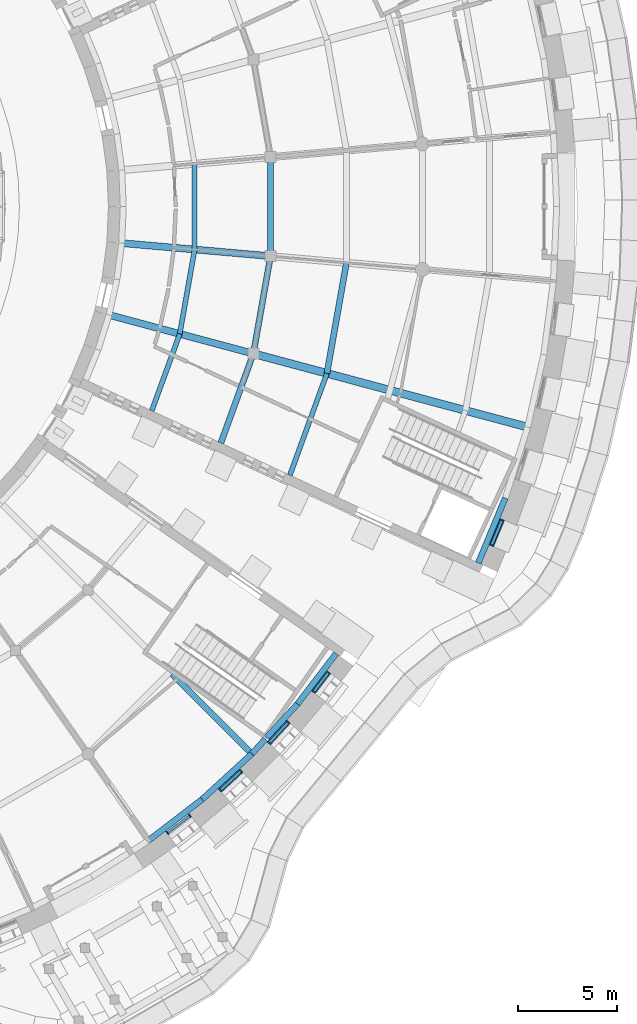
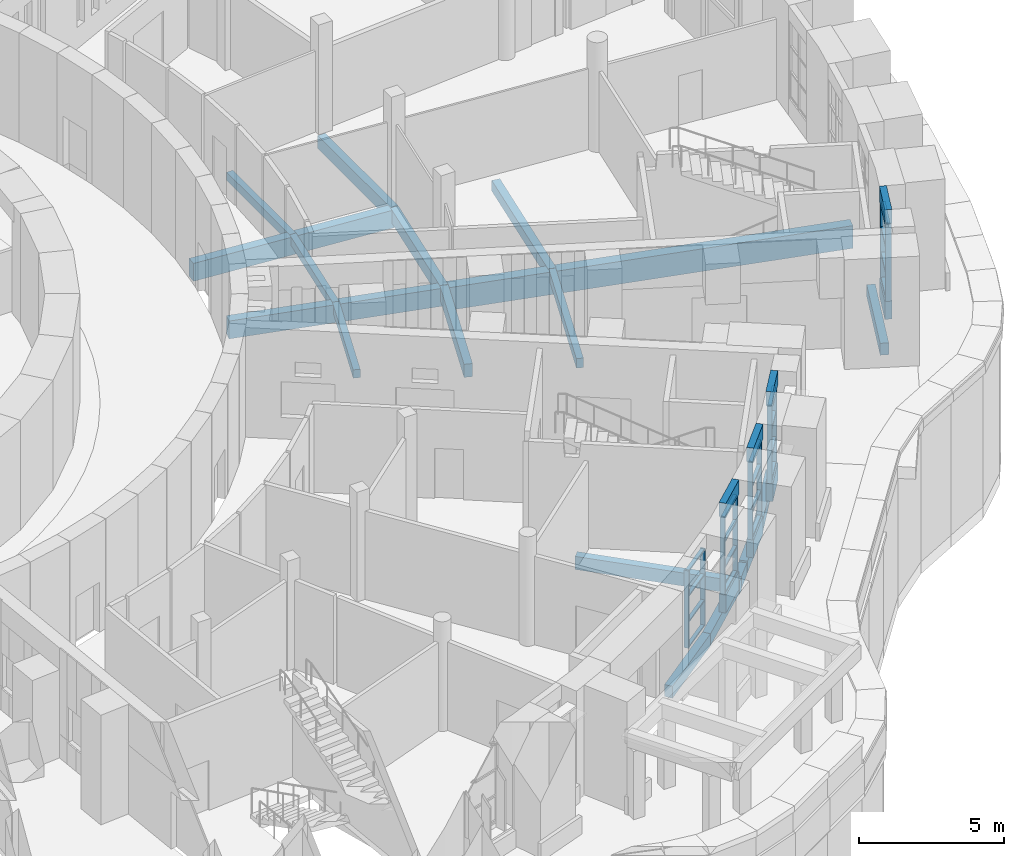
# One storey, part 19 of 85: 30 members, 26 beams, 5 elements without a shape of their own.
"""IFC4 building model written with IfcOpenShell, lengths in metres."""

from ifc_helpers import new_model, si_unit, direction, frame, origin, origin_2d, place, context, subcontext, project, spatial, rectangle, extrude, material, layer, layer_set, material_profile, profile_set, type_object, element, aggregate, save


model = new_model("IFC4")

# Units and contexts
model_context = context("Model", 3, precision=1e-05, world=origin(), true_north=direction((0.0, 1.0)))
body_context = subcontext(model_context, "Body", "Model", "MODEL_VIEW")
ifc_project = project(units=[si_unit("LENGTHUNIT", "METRE"), si_unit("AREAUNIT", "SQUARE_METRE"), si_unit("VOLUMEUNIT", "CUBIC_METRE"), si_unit("PLANEANGLEUNIT", "RADIAN"), si_unit("MASSUNIT", "GRAM", prefix="KILO")], contexts=[model_context])

# Site, building, storey
site_placement = place(None, origin())
site = spatial("IfcSite", under=ifc_project, at=site_placement, CompositionType="ELEMENT")
building_placement = place(site_placement, origin())
building = spatial("IfcBuilding", under=site, at=building_placement, Name="Volute Hill Aquarium", CompositionType="ELEMENT")
storey_placement = place(building_placement, origin())
storey = spatial("IfcBuildingStorey", under=building, at=storey_placement, Name="L01", CompositionType="ELEMENT", Elevation=0.0)

# Beams
ifc_material_1 = material(Name="Concrete C35/45", Category="concrete")
ifc_material_profile_1 = material_profile(ifc_material_1, rectangle(XDim=0.300048828125, YDim=0.550048828125, at=origin_2d()), Name="RC beam 300x550")
ifc_profile_set_1 = profile_set([ifc_material_profile_1], Name="Concrete C35/45")
beam_type_1 = type_object("IfcBeamType", Name="Beam 300x550 C35/45", PredefinedType="BEAM", material=ifc_profile_set_1)
beam_1_placement = place(storey_placement, frame((23.617919921875, -23.617919921875, -0.544921875), z_axis=(0.707106781187, -0.707106781187, 0.0), x_axis=(0.707106781187, 0.707106781187, 0.0)))
element("IfcBeam", 1, at=beam_1_placement, inside=storey, type_object=beam_type_1, Name="bm/S3/L01/rad4.12", PredefinedType="BEAM", context=body_context, shape_type="SweptSolid", body=[
    extrude(rectangle(XDim=0.300048828125, YDim=0.550048828125, at=origin_2d()), origin(), (0.0, 0.0, 1.0), 5.84912109375),
])
beam_2_placement = place(storey_placement, frame((26.07958984375, -11.9404296875, -0.514892578125), z_axis=(0.342053281392, 0.939680558854, 0.0), x_axis=(-0.939680558854, 0.342053281392, 0.0)))
element("IfcBeam", 2, at=beam_2_placement, inside=storey, type_object=beam_type_1, Name="bm/S4/L01/ring1.11", PredefinedType="BEAM", context=body_context, shape_type="SweptSolid", body=[
    extrude(rectangle(XDim=0.300048828125, YDim=0.550048828125, at=origin_2d()), origin(), (0.0, 0.0, 1.0), 4.802001953125),
])
beam_3_placement = place(storey_placement, frame((27.72216796875, -7.427978515625, -0.514892578125), z_axis=(0.173643342996, 0.984808605483, 0.0), x_axis=(-0.984808605483, 0.173643342996, 0.0)))
element("IfcBeam", 3, at=beam_3_placement, inside=storey, type_object=beam_type_1, Name="bm/S4/L01/ring1.12", PredefinedType="BEAM", context=body_context, shape_type="SweptSolid", body=[
    extrude(rectangle(XDim=0.300048828125, YDim=0.550048828125, at=origin_2d()), origin(), (0.0, 0.0, 1.0), 5.00244140625),
])
beam_4_placement = place(storey_placement, frame((28.5908203125, -2.50146484375, -0.514892578125), z_axis=(0.0, 1.0, 0.0), x_axis=(-1.0, 0.0, 0.0)))
element("IfcBeam", 4, at=beam_4_placement, inside=storey, type_object=beam_type_1, Name="bm/S4/L01/ring1.13", PredefinedType="BEAM", context=body_context, shape_type="SweptSolid", body=[
    extrude(rectangle(XDim=0.300048828125, YDim=0.550048828125, at=origin_2d()), origin(), (0.0, 0.0, 1.0), 5.0029296875),
])
ifc_material_2 = material(Name="Concrete C35/45", Category="concrete")
ifc_material_profile_2 = material_profile(ifc_material_2, rectangle(XDim=0.35009765625, YDim=0.75, at=origin_2d()), Name="RC beam 350x750")
ifc_profile_set_2 = profile_set([ifc_material_profile_2], Name="Concrete C35/45")
beam_type_2 = type_object("IfcBeamType", Name="Beam 350x750 C35/45", PredefinedType="BEAM", material=ifc_profile_set_2)
for number, where, z_axis, x_axis, name in (
    (5, (20.284423828125, -5.435302734375, -0.614990234375), (0.965934324242, -0.258787328228, 0.0), (0.258787328228, 0.965934324242, 0.0), "bm/S4/L01/rad1.1"),
    (6, (20.920166015625, -1.830322265625, -0.614990234375), (0.996194164888, -0.087161837082, 0.0), (0.087161837082, 0.996194164888, 0.0), "bm/S4/L01/rad2.3"),
):
    element("IfcBeam", number, at=place(storey_placement, frame(where, z_axis=z_axis, x_axis=x_axis)), inside=storey, type_object=beam_type_2, Name=name, PredefinedType="BEAM", context=body_context, shape_type="SweptSolid", body=[
        extrude(rectangle(XDim=0.35009765625, YDim=0.75, at=origin_2d()), origin(), (0.0, 0.0, 1.0), 7.699951171875),
    ])
ifc_material_3 = material(Name="Concrete C35/45", Category="concrete")
ifc_material_profile_3 = material_profile(ifc_material_3, rectangle(XDim=0.39990234375, YDim=0.949951171875, at=origin_2d()), Name="RC beam 400x950")
ifc_profile_set_3 = profile_set([ifc_material_profile_3], Name="Concrete C35/45")
beam_type_3 = type_object("IfcBeamType", Name="Beam 400x950 C35/45", PredefinedType="BEAM", material=ifc_profile_set_3)
beam_5_placement = place(storey_placement, frame((27.72216796875, -7.427978515625, -0.715087890625), z_axis=(0.965924602504, -0.258823612287, 0.0), x_axis=(0.258823612287, 0.965924602504, 0.0)))
element("IfcBeam", 7, at=beam_5_placement, inside=storey, type_object=beam_type_3, Name="bm/S4/L01/rad1.2", PredefinedType="BEAM", context=body_context, shape_type="SweptSolid", body=[
    extrude(rectangle(XDim=0.39990234375, YDim=0.949951171875, at=origin_2d()), origin(), (0.0, 0.0, 1.0), 14.5),
])

# Curtain wall, members
ifc_material_4 = material(Name="Aluminium", Category="aluminium")
ifc_layer_1 = layer(ifc_material_4, 0.25)
ifc_layer_set_1 = layer_set([ifc_layer_1], Name="Curtain wall niche S3 module 1489")
curtain_wall_type_1 = type_object("IfcCurtainWallType", Name="Curtain wall niche S3 module 1489", PredefinedType="NOTDEFINED", material=ifc_layer_set_1)
curtain_wall_1_placement = place(storey_placement, origin())
curtain_wall_1 = element("IfcCurtainWall", 8, at=curtain_wall_1_placement, inside=storey, type_object=curtain_wall_type_1, Name="Curtain wall CW S3 L01 7", PredefinedType="NOTDEFINED")
ifc_material_5 = material(Name="Aluminium", Category="aluminium")
ifc_material_profile_4 = material_profile(ifc_material_5, rectangle(XDim=0.179931640625, YDim=0.06005859375, at=origin_2d()), Name="Curtain wall mullion S3 60x180")
ifc_profile_set_4 = profile_set([ifc_material_profile_4], Name="Aluminium")
member_type_1 = type_object("IfcMemberType", Name="Curtain wall mullion S3 60x180", PredefinedType="MULLION", material=ifc_profile_set_4)
member_1_placement = place(storey_placement, frame((23.380126953125, -31.643310546875, 0.75), z_axis=(0.0, 0.0, 1.0), x_axis=(-0.608746843851, 0.793364531663, 0.0)))
member_1 = element("IfcMember", 9, at=member_1_placement, type_object=member_type_1, Name="CW mullion 1", PredefinedType="MULLION", context=body_context, shape_type="SweptSolid", body=[
    extrude(rectangle(XDim=0.179931640625, YDim=0.06005859375, at=origin_2d()), origin(), (0.0, 0.0, 1.0), 3.25),
])
member_2_placement = place(storey_placement, frame((24.513916015625, -30.773193359375, 0.75), z_axis=(0.0, 0.0, 1.0), x_axis=(-0.608746843851, 0.793364531663, 0.0)))
member_2 = element("IfcMember", 10, at=member_2_placement, type_object=member_type_1, Name="CW mullion 2", PredefinedType="MULLION", context=body_context, shape_type="SweptSolid", body=[
    extrude(rectangle(XDim=0.179931640625, YDim=0.06005859375, at=origin_2d()), origin(), (0.0, 0.0, 1.0), 3.25),
])

curtain_wall_2_placement = place(storey_placement, origin())
curtain_wall_2 = element("IfcCurtainWall", 11, at=curtain_wall_2_placement, inside=storey, type_object=curtain_wall_type_1, Name="Curtain wall CW S3 L01 8", PredefinedType="NOTDEFINED")
member_3_placement = place(storey_placement, frame((26.048828125, -29.4853515625, 0.75), z_axis=(0.0, 0.0, 1.0), x_axis=(-0.675613025622, 0.73725642731, 0.0)))
member_3 = element("IfcMember", 12, at=member_3_placement, type_object=member_type_1, Name="CW mullion 1", PredefinedType="MULLION", context=body_context, shape_type="SweptSolid", body=[
    extrude(rectangle(XDim=0.179931640625, YDim=0.06005859375, at=origin_2d()), origin(), (0.0, 0.0, 1.0), 3.25),
])
member_4_placement = place(storey_placement, frame((27.1025390625, -28.519775390625, 0.75), z_axis=(0.0, 0.0, 1.0), x_axis=(-0.675613025622, 0.73725642731, 0.0)))
member_4 = element("IfcMember", 13, at=member_4_placement, type_object=member_type_1, Name="CW mullion 2", PredefinedType="MULLION", context=body_context, shape_type="SweptSolid", body=[
    extrude(rectangle(XDim=0.179931640625, YDim=0.06005859375, at=origin_2d()), origin(), (0.0, 0.0, 1.0), 3.25),
])

curtain_wall_3_placement = place(storey_placement, origin())
curtain_wall_3 = element("IfcCurtainWall", 14, at=curtain_wall_3_placement, inside=storey, type_object=curtain_wall_type_1, Name="Curtain wall CW S3 L01 9", PredefinedType="NOTDEFINED")
member_5_placement = place(storey_placement, frame((28.51953125, -27.102783203125, 0.75), z_axis=(0.0, 0.0, 1.0), x_axis=(-0.737259772044, 0.675609375694, 0.0)))
member_5 = element("IfcMember", 15, at=member_5_placement, type_object=member_type_1, Name="CW mullion 1", PredefinedType="MULLION", context=body_context, shape_type="SweptSolid", body=[
    extrude(rectangle(XDim=0.179931640625, YDim=0.06005859375, at=origin_2d()), origin(), (0.0, 0.0, 1.0), 3.25),
])
member_6_placement = place(storey_placement, frame((29.485107421875, -26.049072265625, 0.75), z_axis=(0.0, 0.0, 1.0), x_axis=(-0.737259772044, 0.675609375694, 0.0)))
member_6 = element("IfcMember", 16, at=member_6_placement, type_object=member_type_1, Name="CW mullion 2", PredefinedType="MULLION", context=body_context, shape_type="SweptSolid", body=[
    extrude(rectangle(XDim=0.179931640625, YDim=0.06005859375, at=origin_2d()), origin(), (0.0, 0.0, 1.0), 3.25),
])

ifc_material_6 = material(Name="Aluminium", Category="aluminium")
ifc_layer_2 = layer(ifc_material_6, 0.25)
ifc_layer_set_2 = layer_set([ifc_layer_2], Name="Curtain wall niche S3 module 1289")
curtain_wall_type_2 = type_object("IfcCurtainWallType", Name="Curtain wall niche S3 module 1289", PredefinedType="NOTDEFINED", material=ifc_layer_set_2)
curtain_wall_4_placement = place(storey_placement, origin())
curtain_wall_4 = element("IfcCurtainWall", 17, at=curtain_wall_4_placement, inside=storey, type_object=curtain_wall_type_2, Name="Curtain wall CW S3 L01 10", PredefinedType="NOTDEFINED")
member_7_placement = place(storey_placement, frame((30.773193359375, -24.513916015625, 0.75), z_axis=(0.0, 0.0, 1.0), x_axis=(-0.79336569779, 0.608745324064, 0.0)))
member_7 = element("IfcMember", 18, at=member_7_placement, type_object=member_type_1, Name="CW mullion 1", PredefinedType="MULLION", context=body_context, shape_type="SweptSolid", body=[
    extrude(rectangle(XDim=0.179931640625, YDim=0.06005859375, at=origin_2d()), origin(), (0.0, 0.0, 1.0), 3.25),
])
member_8_placement = place(storey_placement, frame((31.521484375, -23.538818359375, 0.75), z_axis=(0.0, 0.0, 1.0), x_axis=(-0.79336569779, 0.608745324064, 0.0)))
member_8 = element("IfcMember", 19, at=member_8_placement, type_object=member_type_1, Name="CW mullion 2", PredefinedType="MULLION", context=body_context, shape_type="SweptSolid", body=[
    extrude(rectangle(XDim=0.179931640625, YDim=0.06005859375, at=origin_2d()), origin(), (0.0, 0.0, 1.0), 3.25),
])

ifc_material_7 = material(Name="Aluminium", Category="aluminium")
ifc_layer_3 = layer(ifc_material_7, 0.25)
ifc_layer_set_3 = layer_set([ifc_layer_3], Name="Curtain wall niche S4 module 1437")
curtain_wall_type_3 = type_object("IfcCurtainWallType", Name="Curtain wall niche S4 module 1437", PredefinedType="NOTDEFINED", material=ifc_layer_set_3)
curtain_wall_5_placement = place(storey_placement, origin())
curtain_wall_5 = element("IfcCurtainWall", 20, at=curtain_wall_5_placement, inside=storey, type_object=curtain_wall_type_3, Name="Curtain wall CW S4 L01 1", PredefinedType="NOTDEFINED")
ifc_material_8 = material(Name="Aluminium", Category="aluminium")
ifc_material_profile_5 = material_profile(ifc_material_8, rectangle(XDim=0.199951171875, YDim=0.06005859375, at=origin_2d()), Name="Curtain wall mullion S4 60x200")
ifc_profile_set_5 = profile_set([ifc_material_profile_5], Name="Aluminium")
member_type_2 = type_object("IfcMemberType", Name="Curtain wall mullion S4 60x200", PredefinedType="MULLION", material=ifc_profile_set_5)
member_9_placement = place(storey_placement, frame((39.763427734375, -17.107666015625, 0.75), z_axis=(0.0, 0.0, 1.0), x_axis=(-0.923873852375, 0.38269714514, 0.0)))
member_9 = element("IfcMember", 21, at=member_9_placement, type_object=member_type_2, Name="CW mullion 1", PredefinedType="MULLION", context=body_context, shape_type="SweptSolid", body=[
    extrude(rectangle(XDim=0.199951171875, YDim=0.06005859375, at=origin_2d()), origin(), (0.0, 0.0, 1.0), 3.25),
])
member_10_placement = place(storey_placement, frame((40.29052734375, -15.835205078125, 0.75), z_axis=(0.0, 0.0, 1.0), x_axis=(-0.923873852375, 0.38269714514, 0.0)))
member_10 = element("IfcMember", 22, at=member_10_placement, type_object=member_type_2, Name="CW mullion 2", PredefinedType="MULLION", context=body_context, shape_type="SweptSolid", body=[
    extrude(rectangle(XDim=0.199951171875, YDim=0.06005859375, at=origin_2d()), origin(), (0.0, 0.0, 1.0), 3.25),
])

# Member
ifc_material_9 = material(Name="Aluminium", Category="aluminium")
ifc_material_profile_6 = material_profile(ifc_material_9, rectangle(XDim=0.139892578125, YDim=0.06005859375, at=origin_2d()), Name="Curtain wall transom S3 60x140")
ifc_profile_set_6 = profile_set([ifc_material_profile_6], Name="Aluminium")
member_type_3 = type_object("IfcMemberType", Name="Curtain wall transom S3 60x140", PredefinedType="USERDEFINED", material=ifc_profile_set_6)
member_11_placement = place(storey_placement, frame((23.40380859375, -31.625, 0.780029296875), z_axis=(0.793405441688, 0.608693523129, 0.0), x_axis=(-0.608693523129, 0.793405441688, 0.0)))
member_11 = element("IfcMember", 23, at=member_11_placement, type_object=member_type_3, Name="CW transom 1.1", ObjectType="TRANSOM", PredefinedType="USERDEFINED", context=body_context, shape_type="SweptSolid", body=[
    extrude(rectangle(XDim=0.139892578125, YDim=0.06005859375, at=origin_2d()), origin(), (0.0, 0.0, 1.0), 1.369384765625),
])

member_12_placement = place(storey_placement, frame((23.40380859375, -31.625, 1.833251953125), z_axis=(0.793405441688, 0.608693523129, 0.0), x_axis=(-0.608693523129, 0.793405441688, 0.0)))
member_12 = element("IfcMember", 24, at=member_12_placement, type_object=member_type_3, Name="CW transom 1.2", ObjectType="TRANSOM", PredefinedType="USERDEFINED", context=body_context, shape_type="SweptSolid", body=[
    extrude(rectangle(XDim=0.139892578125, YDim=0.06005859375, at=origin_2d()), origin(), (0.0, 0.0, 1.0), 1.369384765625),
])

member_13_placement = place(storey_placement, frame((23.40380859375, -31.625, 2.916748046875), z_axis=(0.793405441688, 0.608693523129, 0.0), x_axis=(-0.608693523129, 0.793405441688, 0.0)))
member_13 = element("IfcMember", 25, at=member_13_placement, type_object=member_type_3, Name="CW transom 1.3", ObjectType="TRANSOM", PredefinedType="USERDEFINED", context=body_context, shape_type="SweptSolid", body=[
    extrude(rectangle(XDim=0.139892578125, YDim=0.06005859375, at=origin_2d()), origin(), (0.0, 0.0, 1.0), 1.369384765625),
])

member_14_placement = place(storey_placement, frame((23.40380859375, -31.625, 3.969970703125), z_axis=(0.793405441688, 0.608693523129, 0.0), x_axis=(-0.608693523129, 0.793405441688, 0.0)))
member_14 = element("IfcMember", 26, at=member_14_placement, type_object=member_type_3, Name="CW transom 1.4", ObjectType="TRANSOM", PredefinedType="USERDEFINED", context=body_context, shape_type="SweptSolid", body=[
    extrude(rectangle(XDim=0.139892578125, YDim=0.06005859375, at=origin_2d()), origin(), (0.0, 0.0, 1.0), 1.369384765625),
])

aggregate(curtain_wall_1, [member_1, member_2, member_11, member_12, member_13, member_14])

member_15_placement = place(storey_placement, frame((26.071044921875, -29.465087890625, 0.780029296875), z_axis=(0.73727994828, 0.675587357686, 0.0), x_axis=(-0.675587357686, 0.73727994828, 0.0)))
member_15 = element("IfcMember", 27, at=member_15_placement, type_object=member_type_3, Name="CW transom 1.1", ObjectType="TRANSOM", PredefinedType="USERDEFINED", context=body_context, shape_type="SweptSolid", body=[
    extrude(rectangle(XDim=0.139892578125, YDim=0.06005859375, at=origin_2d()), origin(), (0.0, 0.0, 1.0), 1.369140625),
])

member_16_placement = place(storey_placement, frame((26.071044921875, -29.465087890625, 1.833251953125), z_axis=(0.73727994828, 0.675587357686, 0.0), x_axis=(-0.675587357686, 0.73727994828, 0.0)))
member_16 = element("IfcMember", 28, at=member_16_placement, type_object=member_type_3, Name="CW transom 1.2", ObjectType="TRANSOM", PredefinedType="USERDEFINED", context=body_context, shape_type="SweptSolid", body=[
    extrude(rectangle(XDim=0.139892578125, YDim=0.06005859375, at=origin_2d()), origin(), (0.0, 0.0, 1.0), 1.369140625),
])

member_17_placement = place(storey_placement, frame((26.071044921875, -29.465087890625, 2.916748046875), z_axis=(0.73727994828, 0.675587357686, 0.0), x_axis=(-0.675587357686, 0.73727994828, 0.0)))
member_17 = element("IfcMember", 29, at=member_17_placement, type_object=member_type_3, Name="CW transom 1.3", ObjectType="TRANSOM", PredefinedType="USERDEFINED", context=body_context, shape_type="SweptSolid", body=[
    extrude(rectangle(XDim=0.139892578125, YDim=0.06005859375, at=origin_2d()), origin(), (0.0, 0.0, 1.0), 1.369140625),
])

member_18_placement = place(storey_placement, frame((26.071044921875, -29.465087890625, 3.969970703125), z_axis=(0.73727994828, 0.675587357686, 0.0), x_axis=(-0.675587357686, 0.73727994828, 0.0)))
member_18 = element("IfcMember", 30, at=member_18_placement, type_object=member_type_3, Name="CW transom 1.4", ObjectType="TRANSOM", PredefinedType="USERDEFINED", context=body_context, shape_type="SweptSolid", body=[
    extrude(rectangle(XDim=0.139892578125, YDim=0.06005859375, at=origin_2d()), origin(), (0.0, 0.0, 1.0), 1.369140625),
])

aggregate(curtain_wall_2, [member_3, member_4, member_15, member_16, member_17, member_18])

member_19_placement = place(storey_placement, frame((28.539794921875, -27.08056640625, 0.780029296875), z_axis=(0.675587357686, 0.73727994828, 0.0), x_axis=(-0.73727994828, 0.675587357686, 0.0)))
member_19 = element("IfcMember", 31, at=member_19_placement, type_object=member_type_3, Name="CW transom 1.1", ObjectType="TRANSOM", PredefinedType="USERDEFINED", context=body_context, shape_type="SweptSolid", body=[
    extrude(rectangle(XDim=0.139892578125, YDim=0.06005859375, at=origin_2d()), origin(), (0.0, 0.0, 1.0), 1.369140625),
])

member_20_placement = place(storey_placement, frame((28.539794921875, -27.08056640625, 1.833251953125), z_axis=(0.675587357686, 0.73727994828, 0.0), x_axis=(-0.73727994828, 0.675587357686, 0.0)))
member_20 = element("IfcMember", 32, at=member_20_placement, type_object=member_type_3, Name="CW transom 1.2", ObjectType="TRANSOM", PredefinedType="USERDEFINED", context=body_context, shape_type="SweptSolid", body=[
    extrude(rectangle(XDim=0.139892578125, YDim=0.06005859375, at=origin_2d()), origin(), (0.0, 0.0, 1.0), 1.369140625),
])

member_21_placement = place(storey_placement, frame((28.539794921875, -27.08056640625, 2.916748046875), z_axis=(0.675587357686, 0.73727994828, 0.0), x_axis=(-0.73727994828, 0.675587357686, 0.0)))
member_21 = element("IfcMember", 33, at=member_21_placement, type_object=member_type_3, Name="CW transom 1.3", ObjectType="TRANSOM", PredefinedType="USERDEFINED", context=body_context, shape_type="SweptSolid", body=[
    extrude(rectangle(XDim=0.139892578125, YDim=0.06005859375, at=origin_2d()), origin(), (0.0, 0.0, 1.0), 1.369140625),
])

member_22_placement = place(storey_placement, frame((28.539794921875, -27.08056640625, 3.969970703125), z_axis=(0.675587357686, 0.73727994828, 0.0), x_axis=(-0.73727994828, 0.675587357686, 0.0)))
member_22 = element("IfcMember", 34, at=member_22_placement, type_object=member_type_3, Name="CW transom 1.4", ObjectType="TRANSOM", PredefinedType="USERDEFINED", context=body_context, shape_type="SweptSolid", body=[
    extrude(rectangle(XDim=0.139892578125, YDim=0.06005859375, at=origin_2d()), origin(), (0.0, 0.0, 1.0), 1.369140625),
])

aggregate(curtain_wall_3, [member_5, member_6, member_19, member_20, member_21, member_22])

member_23_placement = place(storey_placement, frame((30.79150390625, -24.490234375, 0.780029296875), z_axis=(0.608751540915, 0.793360927594, 0.0), x_axis=(-0.793360927594, 0.608751540915, 0.0)))
member_23 = element("IfcMember", 35, at=member_23_placement, type_object=member_type_3, Name="CW transom 1.1", ObjectType="TRANSOM", PredefinedType="USERDEFINED", context=body_context, shape_type="SweptSolid", body=[
    extrude(rectangle(XDim=0.139892578125, YDim=0.06005859375, at=origin_2d()), origin(), (0.0, 0.0, 1.0), 1.1689453125),
])

member_24_placement = place(storey_placement, frame((30.79150390625, -24.490234375, 1.833251953125), z_axis=(0.608751540915, 0.793360927594, 0.0), x_axis=(-0.793360927594, 0.608751540915, 0.0)))
member_24 = element("IfcMember", 36, at=member_24_placement, type_object=member_type_3, Name="CW transom 1.2", ObjectType="TRANSOM", PredefinedType="USERDEFINED", context=body_context, shape_type="SweptSolid", body=[
    extrude(rectangle(XDim=0.139892578125, YDim=0.06005859375, at=origin_2d()), origin(), (0.0, 0.0, 1.0), 1.1689453125),
])

member_25_placement = place(storey_placement, frame((30.79150390625, -24.490234375, 2.916748046875), z_axis=(0.608751540915, 0.793360927594, 0.0), x_axis=(-0.793360927594, 0.608751540915, 0.0)))
member_25 = element("IfcMember", 37, at=member_25_placement, type_object=member_type_3, Name="CW transom 1.3", ObjectType="TRANSOM", PredefinedType="USERDEFINED", context=body_context, shape_type="SweptSolid", body=[
    extrude(rectangle(XDim=0.139892578125, YDim=0.06005859375, at=origin_2d()), origin(), (0.0, 0.0, 1.0), 1.1689453125),
])

member_26_placement = place(storey_placement, frame((30.79150390625, -24.490234375, 3.969970703125), z_axis=(0.608751540915, 0.793360927594, 0.0), x_axis=(-0.793360927594, 0.608751540915, 0.0)))
member_26 = element("IfcMember", 38, at=member_26_placement, type_object=member_type_3, Name="CW transom 1.4", ObjectType="TRANSOM", PredefinedType="USERDEFINED", context=body_context, shape_type="SweptSolid", body=[
    extrude(rectangle(XDim=0.139892578125, YDim=0.06005859375, at=origin_2d()), origin(), (0.0, 0.0, 1.0), 1.1689453125),
])

aggregate(curtain_wall_4, [member_7, member_8, member_23, member_24, member_25, member_26])

ifc_material_10 = material(Name="Aluminium", Category="aluminium")
ifc_material_profile_7 = material_profile(ifc_material_10, rectangle(XDim=0.14990234375, YDim=0.06005859375, at=origin_2d()), Name="Curtain wall transom S4 60x150")
ifc_profile_set_7 = profile_set([ifc_material_profile_7], Name="Aluminium")
member_type_4 = type_object("IfcMemberType", Name="Curtain wall transom S4 60x150", PredefinedType="USERDEFINED", material=ifc_profile_set_7)
member_27_placement = place(storey_placement, frame((39.77490234375, -17.079833984375, 0.780029296875), z_axis=(0.3827064316, 0.923870005581, 0.0), x_axis=(-0.923870005581, 0.3827064316, 0.0)))
member_27 = element("IfcMember", 39, at=member_27_placement, type_object=member_type_4, Name="CW transom 1.1", ObjectType="TRANSOM", PredefinedType="USERDEFINED", context=body_context, shape_type="SweptSolid", body=[
    extrude(rectangle(XDim=0.14990234375, YDim=0.06005859375, at=origin_2d()), origin(), (0.0, 0.0, 1.0), 1.3173828125),
])

member_28_placement = place(storey_placement, frame((39.77490234375, -17.079833984375, 1.833251953125), z_axis=(0.3827064316, 0.923870005581, 0.0), x_axis=(-0.923870005581, 0.3827064316, 0.0)))
member_28 = element("IfcMember", 40, at=member_28_placement, type_object=member_type_4, Name="CW transom 1.2", ObjectType="TRANSOM", PredefinedType="USERDEFINED", context=body_context, shape_type="SweptSolid", body=[
    extrude(rectangle(XDim=0.14990234375, YDim=0.06005859375, at=origin_2d()), origin(), (0.0, 0.0, 1.0), 1.3173828125),
])

member_29_placement = place(storey_placement, frame((39.77490234375, -17.079833984375, 2.916748046875), z_axis=(0.3827064316, 0.923870005581, 0.0), x_axis=(-0.923870005581, 0.3827064316, 0.0)))
member_29 = element("IfcMember", 41, at=member_29_placement, type_object=member_type_4, Name="CW transom 1.3", ObjectType="TRANSOM", PredefinedType="USERDEFINED", context=body_context, shape_type="SweptSolid", body=[
    extrude(rectangle(XDim=0.14990234375, YDim=0.06005859375, at=origin_2d()), origin(), (0.0, 0.0, 1.0), 1.3173828125),
])

member_30_placement = place(storey_placement, frame((39.77490234375, -17.079833984375, 3.969970703125), z_axis=(0.3827064316, 0.923870005581, 0.0), x_axis=(-0.923870005581, 0.3827064316, 0.0)))
member_30 = element("IfcMember", 42, at=member_30_placement, type_object=member_type_4, Name="CW transom 1.4", ObjectType="TRANSOM", PredefinedType="USERDEFINED", context=body_context, shape_type="SweptSolid", body=[
    extrude(rectangle(XDim=0.14990234375, YDim=0.06005859375, at=origin_2d()), origin(), (0.0, 0.0, 1.0), 1.3173828125),
])

aggregate(curtain_wall_5, [member_9, member_10, member_27, member_28, member_29, member_30])

# Beams
ifc_material_11 = material(Name="Concrete C35/45", Category="concrete")
ifc_material_profile_8 = material_profile(ifc_material_11, rectangle(XDim=0.300048828125, YDim=0.5, at=origin_2d()), Name="RC edge beam 300x500")
ifc_profile_set_8 = profile_set([ifc_material_profile_8], Name="Concrete C35/45")
beam_type_4 = type_object("IfcBeamType", Name="Edge beam 300x500 C35/45", PredefinedType="BEAM", material=ifc_profile_set_8)
for number, where, z_axis, x_axis, name in (
    (43, (22.4267578125, -32.02880859375, -0.52001953125), (0.793320580874, 0.608804119534, 0.0), (-0.608804119534, 0.793320580874, 0.0), "bm/S3/L01/edgeO.38"),
    (44, (25.1328125, -29.9521484375, -0.52001953125), (0.737281879536, 0.675585250067, 0.0), (-0.675585250067, 0.737281879536, 0.0), "bm/S3/L01/edgeO.39"),
):
    element("IfcBeam", number, at=place(storey_placement, frame(where, z_axis=z_axis, x_axis=x_axis)), inside=storey, type_object=beam_type_4, Name=name, PredefinedType="BEAM", context=body_context, shape_type="SweptSolid", body=[
        extrude(rectangle(XDim=0.300048828125, YDim=0.5, at=origin_2d()), origin(), (0.0, 0.0, 1.0), 3.4111328125),
    ])
beam_6_placement = place(storey_placement, frame((27.647705078125, -27.647705078125, -0.52001953125), z_axis=(0.675613853927, 0.73725566826, 0.0), x_axis=(-0.73725566826, 0.675613853927, 0.0)))
element("IfcBeam", 45, at=beam_6_placement, inside=storey, type_object=beam_type_4, Name="bm/S3/L01/edgeO.40", PredefinedType="BEAM", context=body_context, shape_type="SweptSolid", body=[
    extrude(rectangle(XDim=0.300048828125, YDim=0.5, at=origin_2d()), origin(), (0.0, 0.0, 1.0), 0.998046875),
])
beam_7_placement = place(storey_placement, frame((28.393798828125, -26.83349609375, -0.52001953125), z_axis=(0.675580832147, 0.737285927735, 0.0), x_axis=(-0.737285927735, 0.675580832147, 0.0)))
element("IfcBeam", 46, at=beam_7_placement, inside=storey, type_object=beam_type_4, Name="bm/S3/L01/edgeO.41", PredefinedType="BEAM", context=body_context, shape_type="SweptSolid", body=[
    extrude(rectangle(XDim=0.300048828125, YDim=0.5, at=origin_2d()), origin(), (0.0, 0.0, 1.0), 2.306640625),
])
beam_8_placement = place(storey_placement, frame((29.9521484375, -25.1328125, -0.52001953125), z_axis=(0.608832139492, 0.793299077222, 0.0), x_axis=(-0.793299077222, 0.608832139492, 0.0)))
element("IfcBeam", 47, at=beam_8_placement, inside=storey, type_object=beam_type_4, Name="bm/S3/L01/edgeO.42", PredefinedType="BEAM", context=body_context, shape_type="SweptSolid", body=[
    extrude(rectangle(XDim=0.300048828125, YDim=0.5, at=origin_2d()), origin(), (0.0, 0.0, 1.0), 3.210693359375),
])
beam_9_placement = place(storey_placement, frame((39.093017578125, -18.0087890625, -0.489990234375), z_axis=(0.382669162072, 0.923885443331, 0.0), x_axis=(-0.923885443331, 0.382669162072, 0.0)))
element("IfcBeam", 48, at=beam_9_placement, inside=storey, type_object=beam_type_4, Name="bm/S4/L01/edgeO.29", PredefinedType="BEAM", context=body_context, shape_type="SweptSolid", body=[
    extrude(rectangle(XDim=0.300048828125, YDim=0.5, at=origin_2d()), origin(), (0.0, 0.0, 1.0), 3.555419921875),
])
ifc_material_12 = material(Name="Concrete C35/45", Category="concrete")
ifc_material_profile_9 = material_profile(ifc_material_12, rectangle(XDim=0.25, YDim=0.35009765625, at=origin_2d()), Name="RC joist 250x350")
ifc_profile_set_9 = profile_set([ifc_material_profile_9], Name="Concrete C35/45")
beam_type_5 = type_object("IfcBeamType", Name="Joist 250x350 C35/45", PredefinedType="BEAM", material=ifc_profile_set_9)
beam_10_placement = place(storey_placement, frame((22.59033203125, -10.3134765625, -0.4150390625), z_axis=(0.34206571552, 0.939676032612, 0.0), x_axis=(-0.939676032612, 0.34206571552, 0.0)))
element("IfcBeam", 49, at=beam_10_placement, inside=storey, type_object=beam_type_5, Name="bm/S4/L01/jst1", PredefinedType="BEAM", context=body_context, shape_type="SweptSolid", body=[
    extrude(rectangle(XDim=0.25, YDim=0.35009765625, at=origin_2d()), origin(), (0.0, 0.0, 1.0), 4.131103515625),
])
for number, where, z_axis, x_axis, name in (
    (50, (24.00341796875, -6.431640625, -0.4150390625), (0.173595628323, 0.984817017434, 0.0), (-0.984817017434, 0.173595628323, 0.0), "bm/S4/L01/jst2"),
    (51, (24.75537109375, -2.165771484375, -0.4150390625), (0.0, 1.0, 0.0), (-1.0, 0.0, 0.0), "bm/S4/L01/jst3"),
):
    element("IfcBeam", number, at=place(storey_placement, frame(where, z_axis=z_axis, x_axis=x_axis)), inside=storey, type_object=beam_type_5, Name=name, PredefinedType="BEAM", context=body_context, shape_type="SweptSolid", body=[
        extrude(rectangle(XDim=0.25, YDim=0.35009765625, at=origin_2d()), origin(), (0.0, 0.0, 1.0), 4.33154296875),
    ])
ifc_material_13 = material(Name="Concrete C35/45", Category="concrete")
ifc_material_profile_10 = material_profile(ifc_material_13, rectangle(XDim=0.25, YDim=0.39990234375, at=origin_2d()), Name="RC joist 250x400")
ifc_profile_set_10 = profile_set([ifc_material_profile_10], Name="Concrete C35/45")
beam_type_6 = type_object("IfcBeamType", Name="Joist 250x400 C35/45", PredefinedType="BEAM", material=ifc_profile_set_10)
beam_11_placement = place(storey_placement, frame((29.569091796875, -13.567626953125, -0.43994140625), z_axis=(0.342004507506, 0.939698311611, 0.0), x_axis=(-0.939698311611, 0.342004507506, 0.0)))
element("IfcBeam", 52, at=beam_11_placement, inside=storey, type_object=beam_type_6, Name="bm/S4/L01/jst6", PredefinedType="BEAM", context=body_context, shape_type="SweptSolid", body=[
    extrude(rectangle(XDim=0.25, YDim=0.39990234375, at=origin_2d()), origin(), (0.0, 0.0, 1.0), 5.47314453125),
])
ifc_material_14 = material(Name="Concrete C35/45", Category="concrete")
ifc_material_profile_11 = material_profile(ifc_material_14, rectangle(XDim=0.300048828125, YDim=0.449951171875, at=origin_2d()), Name="RC joist 300x450")
ifc_profile_set_11 = profile_set([ifc_material_profile_11], Name="Concrete C35/45")
beam_type_7 = type_object("IfcBeamType", Name="Joist 300x450 C35/45", PredefinedType="BEAM", material=ifc_profile_set_11)
beam_12_placement = place(storey_placement, frame((31.44091796875, -8.424560546875, -0.465087890625), z_axis=(0.173623321821, 0.984812135445, 0.0), x_axis=(-0.984812135445, 0.173623321821, 0.0)))
element("IfcBeam", 53, at=beam_12_placement, inside=storey, type_object=beam_type_7, Name="bm/S4/L01/jst7", PredefinedType="BEAM", context=body_context, shape_type="SweptSolid", body=[
    extrude(rectangle(XDim=0.300048828125, YDim=0.449951171875, at=origin_2d()), origin(), (0.0, 0.0, 1.0), 5.673828125),
])
ifc_material_15 = material(Name="Concrete C35/45", Category="concrete")
ifc_material_profile_12 = material_profile(ifc_material_15, rectangle(XDim=0.25, YDim=0.60009765625, at=origin_2d()), Name="RC beam 250x600")
ifc_profile_set_12 = profile_set([ifc_material_profile_12], Name="Concrete C35/45")
beam_type_8 = type_object("IfcBeamType", Name="Niche head beam RC 250x600 C35/45", PredefinedType="BEAM", material=ifc_profile_set_12)
for number, where, z_axis, x_axis, name in (
    (54, (26.02685546875, -29.505615234375, 4.300048828125), (0.737256210135, 0.675613262612, 0.0), (-0.675613262612, 0.737256210135, 0.0), "Niche head beam OWB S3 L01 8"),
    (55, (28.499267578125, -27.124755859375, 4.300048828125), (0.675613262612, 0.737256210135, 0.0), (-0.737256210135, 0.675613262612, 0.0), "Niche head beam OWB S3 L01 9"),
):
    element("IfcBeam", number, at=place(storey_placement, frame(where, z_axis=z_axis, x_axis=x_axis)), inside=storey, type_object=beam_type_8, Name=name, PredefinedType="BEAM", context=body_context, shape_type="SweptSolid", body=[
        extrude(rectangle(XDim=0.25, YDim=0.60009765625, at=origin_2d()), origin(), (0.0, 0.0, 1.0), 1.4892578125),
    ])
beam_13_placement = place(storey_placement, frame((30.755126953125, -24.537841796875, 4.300048828125), z_axis=(0.608721761392, 0.793383776749, 0.0), x_axis=(-0.793383776749, 0.608721761392, 0.0)))
element("IfcBeam", 56, at=beam_13_placement, inside=storey, type_object=beam_type_8, Name="Niche head beam OWB S3 L01 10", PredefinedType="BEAM", context=body_context, shape_type="SweptSolid", body=[
    extrude(rectangle(XDim=0.25, YDim=0.60009765625, at=origin_2d()), origin(), (0.0, 0.0, 1.0), 1.2890625),
])
beam_14_placement = place(storey_placement, frame((39.751953125, -17.13525390625, 4.300048828125), z_axis=(0.382696833945, 0.923873981281, 0.0), x_axis=(-0.923873981281, 0.382696833945, 0.0)))
element("IfcBeam", 57, at=beam_14_placement, inside=storey, type_object=beam_type_8, Name="Niche head beam OWB S4 L01 1", PredefinedType="BEAM", context=body_context, shape_type="SweptSolid", body=[
    extrude(rectangle(XDim=0.25, YDim=0.60009765625, at=origin_2d()), origin(), (0.0, 0.0, 1.0), 1.437255859375),
])
ifc_material_16 = material(Name="Concrete C35/45", Category="concrete")
ifc_material_profile_13 = material_profile(ifc_material_16, rectangle(XDim=0.25, YDim=0.75, at=origin_2d()), Name="RC beam 250x750")
ifc_profile_set_13 = profile_set([ifc_material_profile_13], Name="Concrete C35/45")
beam_type_9 = type_object("IfcBeamType", Name="Niche sill beam RC 250x750 C35/45", PredefinedType="BEAM", material=ifc_profile_set_13)
for number, where, z_axis, x_axis, name in (
    (58, (26.02685546875, -29.505615234375, 0.375), (0.737256210135, 0.675613262612, 0.0), (-0.675613262612, 0.737256210135, 0.0), "Niche sill beam OWB S3 L01 8"),
    (59, (28.499267578125, -27.124755859375, 0.375), (0.675613262612, 0.737256210135, 0.0), (-0.737256210135, 0.675613262612, 0.0), "Niche sill beam OWB S3 L01 9"),
):
    element("IfcBeam", number, at=place(storey_placement, frame(where, z_axis=z_axis, x_axis=x_axis)), inside=storey, type_object=beam_type_9, Name=name, PredefinedType="BEAM", context=body_context, shape_type="SweptSolid", body=[
        extrude(rectangle(XDim=0.25, YDim=0.75, at=origin_2d()), origin(), (0.0, 0.0, 1.0), 1.4892578125),
    ])
beam_15_placement = place(storey_placement, frame((30.755126953125, -24.537841796875, 0.375), z_axis=(0.608721761392, 0.793383776749, 0.0), x_axis=(-0.793383776749, 0.608721761392, 0.0)))
element("IfcBeam", 60, at=beam_15_placement, inside=storey, type_object=beam_type_9, Name="Niche sill beam OWB S3 L01 10", PredefinedType="BEAM", context=body_context, shape_type="SweptSolid", body=[
    extrude(rectangle(XDim=0.25, YDim=0.75, at=origin_2d()), origin(), (0.0, 0.0, 1.0), 1.2890625),
])
beam_16_placement = place(storey_placement, frame((39.751953125, -17.13525390625, 0.375), z_axis=(0.382696833945, 0.923873981281, 0.0), x_axis=(-0.923873981281, 0.382696833945, 0.0)))
element("IfcBeam", 61, at=beam_16_placement, inside=storey, type_object=beam_type_9, Name="Niche sill beam OWB S4 L01 1", PredefinedType="BEAM", context=body_context, shape_type="SweptSolid", body=[
    extrude(rectangle(XDim=0.25, YDim=0.75, at=origin_2d()), origin(), (0.0, 0.0, 1.0), 1.437255859375),
])

save(model, "model.ifc")
